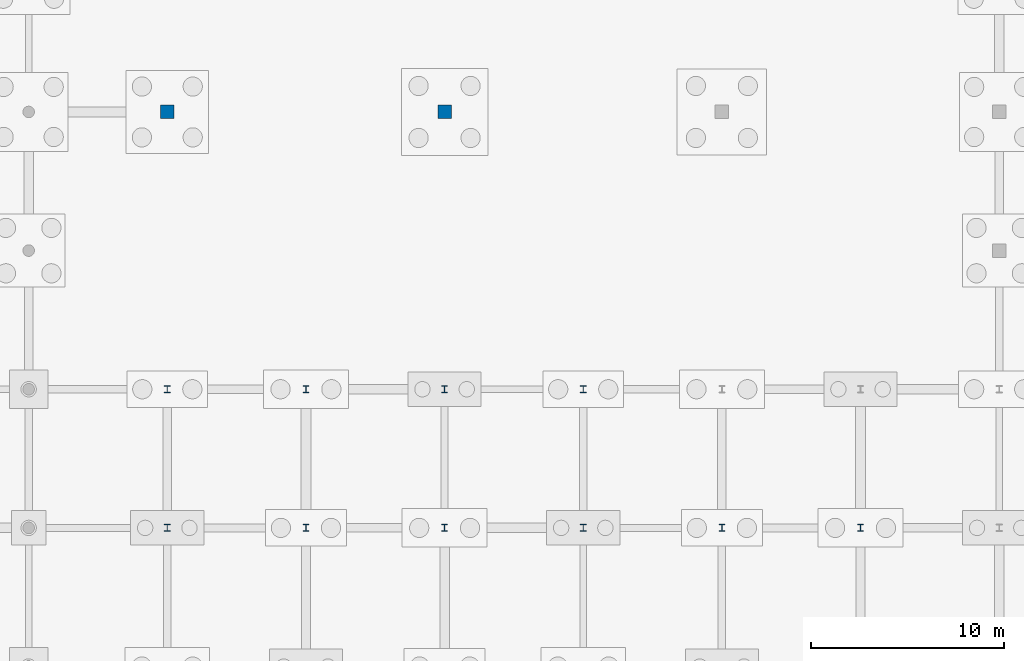
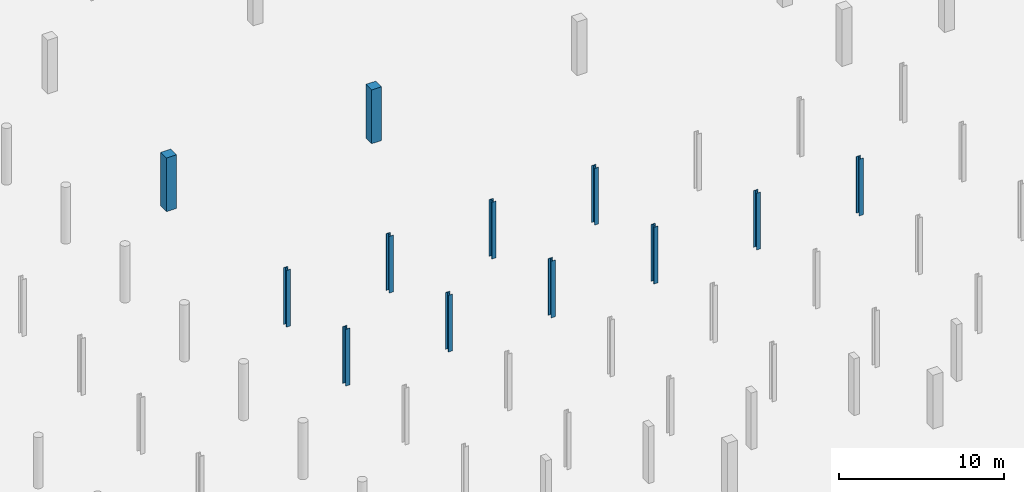
# One storey, part 33 of 56: 12 columns.
"""IFC4 building model written with IfcOpenShell, lengths in metres."""

from ifc_helpers import new_model, si_unit, direction, frame, origin, origin_2d, place, context, subcontext, project, spatial, rectangle, i_section, extrude, material, material_profile, profile_set, type_object, element, save


model = new_model("IFC4")

# Units and contexts
model_context = context("Model", 3, precision=1e-05, world=origin(), true_north=direction((0.0, 1.0)))
body_context = subcontext(model_context, "Body", "Model", "MODEL_VIEW")
ifc_project = project(units=[si_unit("LENGTHUNIT", "METRE"), si_unit("AREAUNIT", "SQUARE_METRE"), si_unit("VOLUMEUNIT", "CUBIC_METRE"), si_unit("PLANEANGLEUNIT", "RADIAN"), si_unit("MASSUNIT", "GRAM", prefix="KILO")], contexts=[model_context])

# Site, building, storey
site_placement = place(None, origin())
site = spatial("IfcSite", under=ifc_project, at=site_placement, CompositionType="ELEMENT")
building_placement = place(site_placement, origin())
building = spatial("IfcBuilding", under=site, at=building_placement, Name="Suanplinth Sawtooth Commons", CompositionType="ELEMENT")
storey_placement = place(building_placement, frame((0.0, 0.0, -4.199951171875)))
storey = spatial("IfcBuildingStorey", under=building, at=storey_placement, Name="B1", CompositionType="ELEMENT", Elevation=-4.199951171875)

# Columns
ifc_material_1 = material(Name="Concrete C40/50", Category="concrete")
ifc_material_profile_1 = material_profile(ifc_material_1, rectangle(XDim=0.699951171875, YDim=0.699951171875, at=origin_2d()), Name="RC-COL 700x700")
ifc_profile_set_1 = profile_set([ifc_material_profile_1], Name="Concrete C40/50")
column_type_1 = type_object("IfcColumnType", Name="C-02", PredefinedType="COLUMN", material=ifc_profile_set_1)
for number, where, z_axis, x_axis, name in (
    (1, (129.60009765625, 86.39990234375, 0.0), (0.0, 0.0, 1.0), (1.0, 0.0, 0.0), "Column B1 19/N"),
    (2, (144.0, 86.39990234375, 0.0), (0.0, 0.0, 1.0), (1.0, 0.0, 0.0), "Column B1 21/N"),
):
    element("IfcColumn", number, at=place(storey_placement, frame(where, z_axis=z_axis, x_axis=x_axis)), inside=storey, type_object=column_type_1, Name=name, PredefinedType="COLUMN", context=body_context, shape_type="SweptSolid", body=[
        extrude(rectangle(XDim=0.699951171875, YDim=0.699951171875, at=origin_2d()), origin(), (0.0, 0.0, 1.0), 3.97998046875),
    ])
ifc_material_2 = material(Name="Steel S355JR", Category="steel")
ifc_material_profile_2 = material_profile(ifc_material_2, i_section(OverallWidth=0.300048828125, OverallDepth=0.360107421875, WebThickness=0.012451171875, FlangeThickness=0.0224609375, at=origin_2d()), Name="HEB 360")
ifc_profile_set_2 = profile_set([ifc_material_profile_2], Name="Steel S355JR")
column_type_2 = type_object("IfcColumnType", Name="C-10", PredefinedType="COLUMN", material=ifc_profile_set_2)
for number, where, z_axis, x_axis, name in (
    (3, (129.60009765625, 64.800048828125, 0.0), (0.0, 0.0, 1.0), (1.0, 0.0, 0.0), "Column B1 19/K"),
    (4, (129.60009765625, 72.0, 0.0), (0.0, 0.0, 1.0), (1.0, 0.0, 0.0), "Column B1 19/L"),
    (5, (136.800048828125, 64.800048828125, 0.0), (0.0, 0.0, 1.0), (1.0, 0.0, 0.0), "Column B1 20/K"),
    (6, (136.800048828125, 72.0, 0.0), (0.0, 0.0, 1.0), (1.0, 0.0, 0.0), "Column B1 20/L"),
    (7, (144.0, 64.800048828125, 0.0), (0.0, 0.0, 1.0), (1.0, 0.0, 0.0), "Column B1 21/K"),
    (8, (144.0, 72.0, 0.0), (0.0, 0.0, 1.0), (1.0, 0.0, 0.0), "Column B1 21/L"),
    (9, (151.199951171875, 64.800048828125, 0.0), (0.0, 0.0, 1.0), (1.0, 0.0, 0.0), "Column B1 22/K"),
    (10, (151.199951171875, 72.0, 0.0), (0.0, 0.0, 1.0), (1.0, 0.0, 0.0), "Column B1 22/L"),
    (11, (158.39990234375, 64.800048828125, 0.0), (0.0, 0.0, 1.0), (1.0, 0.0, 0.0), "Column B1 23/K"),
    (12, (165.60009765625, 64.800048828125, 0.0), (0.0, 0.0, 1.0), (1.0, 0.0, 0.0), "Column B1 24/K"),
):
    element("IfcColumn", number, at=place(storey_placement, frame(where, z_axis=z_axis, x_axis=x_axis)), inside=storey, type_object=column_type_2, Name=name, PredefinedType="COLUMN", context=body_context, shape_type="SweptSolid", body=[
        extrude(i_section(OverallWidth=0.300048828125, OverallDepth=0.360107421875, WebThickness=0.012451171875, FlangeThickness=0.0224609375, at=origin_2d()), origin(), (0.0, 0.0, 1.0), 4.199951171875),
    ])

save(model, "model.ifc")
